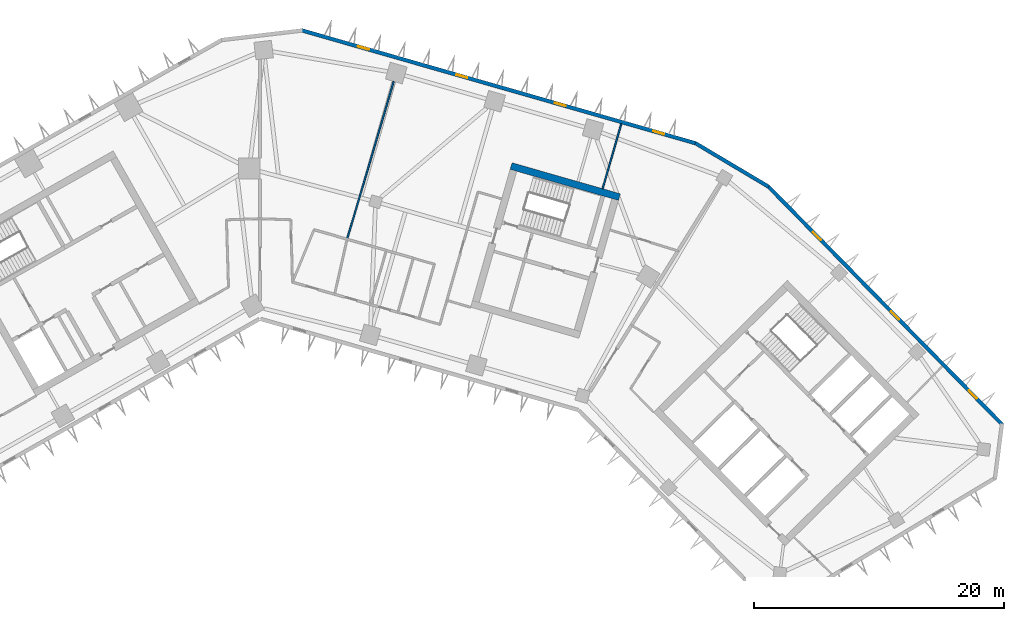
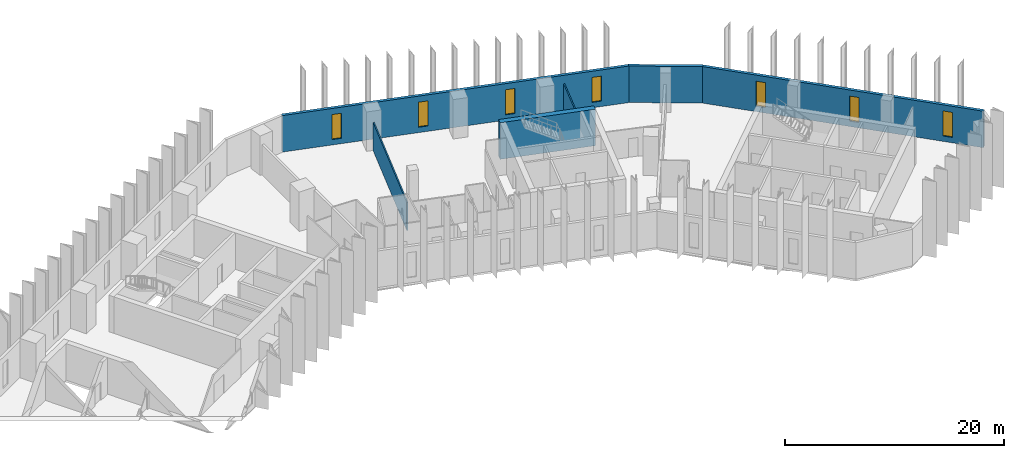
# One storey, part 7 of 11: 7 windows, 6 walls, 7 openings.
"""IFC4 building model written with IfcOpenShell, lengths in metres."""

from ifc_helpers import new_model, si_unit, direction, frame, frame_2d, origin, place, context, subcontext, project, spatial, rectangle, extrude, material, layer, layer_set, type_object, element, fill, save


model = new_model("IFC4")

# Units and contexts
model_context = context("Model", 3, precision=1e-05, world=origin(), true_north=direction((0.0, 1.0)))
body_context = subcontext(model_context, "Body", "Model", "MODEL_VIEW")
ifc_project = project(units=[si_unit("LENGTHUNIT", "METRE"), si_unit("AREAUNIT", "SQUARE_METRE"), si_unit("VOLUMEUNIT", "CUBIC_METRE"), si_unit("PLANEANGLEUNIT", "RADIAN"), si_unit("MASSUNIT", "GRAM", prefix="KILO")], contexts=[model_context])

# Site, building, storey
site_placement = place(None, origin())
site = spatial("IfcSite", under=ifc_project, at=site_placement, CompositionType="ELEMENT")
building_placement = place(site_placement, origin())
building = spatial("IfcBuilding", under=site, at=building_placement, Name="Binnacle Exchange Tower", CompositionType="ELEMENT")
storey_placement = place(building_placement, frame((0.0, 0.0, 114.699951171875)))
storey = spatial("IfcBuildingStorey", under=building, at=storey_placement, Name="L23", CompositionType="ELEMENT", Elevation=114.699951171875)

# Walls
ifc_material_1 = material(Name="Concrete C70/85", Category="concrete")
ifc_layer_1 = layer(ifc_material_1, 0.550048828125)
ifc_layer_set_1 = layer_set([ifc_layer_1], Name="Core wall - outer 550")
wall_type_1 = type_object("IfcWallType", Name="Core wall - outer 550", PredefinedType="SOLIDWALL", material=ifc_layer_set_1)
wall_1_placement = place(storey_placement, frame((20.059814453125, 60.20361328125, 0.0), z_axis=(0.0, 0.0, 1.0), x_axis=(0.96126248289, -0.275634611374, 0.0)))
element("IfcWall", 1, at=wall_1_placement, inside=storey, type_object=wall_type_1, Name="Core wall CRWD6", PredefinedType="SOLIDWALL", context=body_context, shape_type="SweptSolid", body=[
    extrude(rectangle(XDim=9.0, YDim=0.550048828125, at=frame_2d((4.5, 0.0))), origin(), (0.0, 0.0, 1.0), 4.080078125),
])
ifc_material_2 = material(Name="Bronze aluminium cladding", Category="aluminium")
ifc_layer_2 = layer(ifc_material_2, 0.300048828125)
ifc_layer_set_2 = layer_set([ifc_layer_2], Name="External wall - spandrel 300")
wall_type_2 = type_object("IfcWallType", Name="External wall - spandrel 300", PredefinedType="STANDARD", material=ifc_layer_set_2)
wall_2_placement = place(storey_placement, frame((34.773193359375, 62.0341796875, 0.0), z_axis=(0.0, 0.0, 1.0), x_axis=(0.859401317772, -0.511301647769, 0.0)))
element("IfcWall", 2, at=wall_2_placement, inside=storey, type_object=wall_type_2, Name="External wall EW-F00 L23", PredefinedType="STANDARD", context=body_context, shape_type="SweptSolid", body=[
    extrude(rectangle(XDim=6.80810546875, YDim=0.300048828125, at=frame_2d((3.404052734375, 0.0))), origin(), (0.0, 0.0, 1.0), 4.080078125),
])

# Wall, openings, windows
wall_3_placement = place(storey_placement, frame((3.33544921875, 71.043701171875, 0.0), z_axis=(0.0, 0.0, 1.0), x_axis=(0.961260130989, -0.275642813387, 0.0)))
wall_3 = element("IfcWall", 3, at=wall_3_placement, inside=storey, type_object=wall_type_2, Name="External wall EW-F01 L23", PredefinedType="STANDARD", context=body_context, shape_type="SweptSolid", body=[
    extrude(rectangle(XDim=32.7412109375, YDim=0.300048828125, at=frame_2d((16.37060546875, 0.0))), origin(), (0.0, 0.0, 1.0), 4.080078125),
])
opening_1_placement = place(wall_3_placement, frame((29.20703125, 0.0, 0.60009765625)))
opening_1 = element("IfcOpeningElement", 4, at=opening_1_placement, cuts=wall_3, Name="Opening WS2", PredefinedType="OPENING", context=body_context, shape_type="SweptSolid", body=[
    extrude(rectangle(XDim=0.89990234375, YDim=2.800048828125, at=frame_2d((0.449951171875, 1.39990234375))), frame((0.0, 0.159912109375, 0.0), z_axis=(0.0, -1.0, 0.0), x_axis=(1.0, 0.0, 0.0)), (0.0, 0.0, 1.0), 0.320068359375),
])
opening_2_placement = place(wall_3_placement, frame((21.0341796875, 0.0, 0.60009765625)))
opening_2 = element("IfcOpeningElement", 5, at=opening_2_placement, cuts=wall_3, Name="Opening WS2", PredefinedType="OPENING", context=body_context, shape_type="SweptSolid", body=[
    extrude(rectangle(XDim=0.89990234375, YDim=2.800048828125, at=frame_2d((0.449951171875, 1.39990234375))), frame((0.0, 0.159912109375, 0.0), z_axis=(0.0, -1.0, 0.0), x_axis=(1.0, 0.0, 0.0)), (0.0, 0.0, 1.0), 0.320068359375),
])
opening_3_placement = place(wall_3_placement, frame((12.861083984375, 0.0, 0.60009765625)))
opening_3 = element("IfcOpeningElement", 6, at=opening_3_placement, cuts=wall_3, Name="Opening WS2", PredefinedType="OPENING", context=body_context, shape_type="SweptSolid", body=[
    extrude(rectangle(XDim=0.89990234375, YDim=2.800048828125, at=frame_2d((0.449951171875, 1.39990234375))), frame((0.0, 0.159912109375, 0.0), z_axis=(0.0, -1.0, 0.0), x_axis=(1.0, 0.0, 0.0)), (0.0, 0.0, 1.0), 0.320068359375),
])
opening_4_placement = place(wall_3_placement, frame((4.688232421875, 0.0, 0.60009765625)))
opening_4 = element("IfcOpeningElement", 7, at=opening_4_placement, cuts=wall_3, Name="Opening WS2", PredefinedType="OPENING", context=body_context, shape_type="SweptSolid", body=[
    extrude(rectangle(XDim=0.89990234375, YDim=2.800048828125, at=frame_2d((0.449951171875, 1.39990234375))), frame((0.0, 0.159912109375, 0.0), z_axis=(0.0, -1.0, 0.0), x_axis=(1.0, 0.0, 0.0)), (0.0, 0.0, 1.0), 0.320068359375),
])
ifc_material_3 = material(Name="Bronze anodised aluminium frame", Category="aluminium")
window_type = type_object("IfcWindowType", Name="WS2 WINDOW 900x2800", PartitioningType="SINGLE_PANEL", PredefinedType="WINDOW", material=ifc_material_3)
window_1_placement = place(opening_1_placement, origin())
window_1 = element("IfcWindow", 8, at=window_1_placement, inside=storey, type_object=window_type, Name="Window WS2 L23", OverallHeight=2.800048828125, OverallWidth=0.89990234375, PartitioningType="SINGLE_PANEL", PredefinedType="WINDOW", context=body_context, shape_type="SweptSolid", body=[
    extrude(rectangle(XDim=0.89990234375, YDim=2.800048828125, at=frame_2d((0.449951171875, 1.39990234375))), frame((0.0, 0.030029296875, 0.0), z_axis=(0.0, -1.0, 0.0), x_axis=(1.0, 0.0, 0.0)), (0.0, 0.0, 1.0), 0.06005859375),
])
fill(opening_1, window_1)
window_2_placement = place(opening_2_placement, origin())
window_2 = element("IfcWindow", 9, at=window_2_placement, inside=storey, type_object=window_type, Name="Window WS2 L23", OverallHeight=2.800048828125, OverallWidth=0.89990234375, PartitioningType="SINGLE_PANEL", PredefinedType="WINDOW", context=body_context, shape_type="SweptSolid", body=[
    extrude(rectangle(XDim=0.89990234375, YDim=2.800048828125, at=frame_2d((0.449951171875, 1.39990234375))), frame((0.0, 0.030029296875, 0.0), z_axis=(0.0, -1.0, 0.0), x_axis=(1.0, 0.0, 0.0)), (0.0, 0.0, 1.0), 0.06005859375),
])
fill(opening_2, window_2)
window_3_placement = place(opening_3_placement, origin())
window_3 = element("IfcWindow", 10, at=window_3_placement, inside=storey, type_object=window_type, Name="Window WS2 L23", OverallHeight=2.800048828125, OverallWidth=0.89990234375, PartitioningType="SINGLE_PANEL", PredefinedType="WINDOW", context=body_context, shape_type="SweptSolid", body=[
    extrude(rectangle(XDim=0.89990234375, YDim=2.800048828125, at=frame_2d((0.449951171875, 1.39990234375))), frame((0.0, 0.030029296875, 0.0), z_axis=(0.0, -1.0, 0.0), x_axis=(1.0, 0.0, 0.0)), (0.0, 0.0, 1.0), 0.06005859375),
])
fill(opening_3, window_3)
window_4_placement = place(opening_4_placement, origin())
window_4 = element("IfcWindow", 11, at=window_4_placement, inside=storey, type_object=window_type, Name="Window WS2 L23", OverallHeight=2.800048828125, OverallWidth=0.89990234375, PartitioningType="SINGLE_PANEL", PredefinedType="WINDOW", context=body_context, shape_type="SweptSolid", body=[
    extrude(rectangle(XDim=0.89990234375, YDim=2.800048828125, at=frame_2d((0.449951171875, 1.39990234375))), frame((0.0, 0.030029296875, 0.0), z_axis=(0.0, -1.0, 0.0), x_axis=(1.0, 0.0, 0.0)), (0.0, 0.0, 1.0), 0.06005859375),
])
fill(opening_4, window_4)

wall_4_placement = place(storey_placement, frame((40.59375, 58.576904296875, 0.0), z_axis=(0.0, 0.0, 1.0), x_axis=(0.700909719808, -0.713250001528, 0.0)))
wall_4 = element("IfcWall", 12, at=wall_4_placement, inside=storey, type_object=wall_type_2, Name="External wall EW-F13 L23", PredefinedType="STANDARD", context=body_context, shape_type="SweptSolid", body=[
    extrude(rectangle(XDim=26.70849609375, YDim=0.300048828125, at=frame_2d((13.354248046875, 0.0))), origin(), (0.0, 0.0, 1.0), 4.080078125),
])
opening_5_placement = place(wall_4_placement, frame((22.8583984375, 0.0, 0.60009765625)))
opening_5 = element("IfcOpeningElement", 13, at=opening_5_placement, cuts=wall_4, Name="Opening WS2", PredefinedType="OPENING", context=body_context, shape_type="SweptSolid", body=[
    extrude(rectangle(XDim=0.89990234375, YDim=2.800048828125, at=frame_2d((0.449951171875, 1.39990234375))), frame((0.0, 0.159912109375, 0.0), z_axis=(0.0, -1.0, 0.0), x_axis=(1.0, 0.0, 0.0)), (0.0, 0.0, 1.0), 0.320068359375),
])
opening_6_placement = place(wall_4_placement, frame((13.986572265625, 0.0, 0.60009765625)))
opening_6 = element("IfcOpeningElement", 14, at=opening_6_placement, cuts=wall_4, Name="Opening WS2", PredefinedType="OPENING", context=body_context, shape_type="SweptSolid", body=[
    extrude(rectangle(XDim=0.89990234375, YDim=2.800048828125, at=frame_2d((0.449951171875, 1.39990234375))), frame((0.0, 0.159912109375, 0.0), z_axis=(0.0, -1.0, 0.0), x_axis=(1.0, 0.0, 0.0)), (0.0, 0.0, 1.0), 0.320068359375),
])
opening_7_placement = place(wall_4_placement, frame((5.114501953125, 0.0, 0.60009765625)))
opening_7 = element("IfcOpeningElement", 15, at=opening_7_placement, cuts=wall_4, Name="Opening WS2", PredefinedType="OPENING", context=body_context, shape_type="SweptSolid", body=[
    extrude(rectangle(XDim=0.89990234375, YDim=2.800048828125, at=frame_2d((0.449951171875, 1.39990234375))), frame((0.0, 0.159912109375, 0.0), z_axis=(0.0, -1.0, 0.0), x_axis=(1.0, 0.0, 0.0)), (0.0, 0.0, 1.0), 0.320068359375),
])
window_5_placement = place(opening_5_placement, origin())
window_5 = element("IfcWindow", 16, at=window_5_placement, inside=storey, type_object=window_type, Name="Window WS2 L23", OverallHeight=2.800048828125, OverallWidth=0.89990234375, PartitioningType="SINGLE_PANEL", PredefinedType="WINDOW", context=body_context, shape_type="SweptSolid", body=[
    extrude(rectangle(XDim=0.89990234375, YDim=2.800048828125, at=frame_2d((0.449951171875, 1.39990234375))), frame((0.0, 0.030029296875, 0.0), z_axis=(0.0, -1.0, 0.0), x_axis=(1.0, 0.0, 0.0)), (0.0, 0.0, 1.0), 0.06005859375),
])
fill(opening_5, window_5)
window_6_placement = place(opening_6_placement, origin())
window_6 = element("IfcWindow", 17, at=window_6_placement, inside=storey, type_object=window_type, Name="Window WS2 L23", OverallHeight=2.800048828125, OverallWidth=0.89990234375, PartitioningType="SINGLE_PANEL", PredefinedType="WINDOW", context=body_context, shape_type="SweptSolid", body=[
    extrude(rectangle(XDim=0.89990234375, YDim=2.800048828125, at=frame_2d((0.449951171875, 1.39990234375))), frame((0.0, 0.030029296875, 0.0), z_axis=(0.0, -1.0, 0.0), x_axis=(1.0, 0.0, 0.0)), (0.0, 0.0, 1.0), 0.06005859375),
])
fill(opening_6, window_6)
window_7_placement = place(opening_7_placement, origin())
window_7 = element("IfcWindow", 18, at=window_7_placement, inside=storey, type_object=window_type, Name="Window WS2 L23", OverallHeight=2.800048828125, OverallWidth=0.89990234375, PartitioningType="SINGLE_PANEL", PredefinedType="WINDOW", context=body_context, shape_type="SweptSolid", body=[
    extrude(rectangle(XDim=0.89990234375, YDim=2.800048828125, at=frame_2d((0.449951171875, 1.39990234375))), frame((0.0, 0.030029296875, 0.0), z_axis=(0.0, -1.0, 0.0), x_axis=(1.0, 0.0, 0.0)), (0.0, 0.0, 1.0), 0.06005859375),
])
fill(opening_7, window_7)

# Walls
ifc_material_4 = material(Name="Gypsum partition")
ifc_layer_3 = layer(ifc_material_4, 0.125)
ifc_layer_set_3 = layer_set([ifc_layer_3], Name="Partition 125")
wall_type_3 = type_object("IfcWallType", Name="Partition 125", PredefinedType="PARTITIONING", material=ifc_layer_set_3)
wall_5_placement = place(storey_placement, frame((6.966064453125, 54.362060546875, 0.0), z_axis=(0.0, 0.0, 1.0), x_axis=(0.283059793108, 0.959102264373, 0.0)))
element("IfcWall", 19, at=wall_5_placement, inside=storey, type_object=wall_type_3, Name="Partition W19", PredefinedType="PARTITIONING", context=body_context, shape_type="SweptSolid", body=[
    extrude(rectangle(XDim=13.135009765625, YDim=0.125, at=frame_2d((6.5673828125, 0.0))), origin(), (0.0, 0.0, 1.0), 3.14208984375),
])
wall_6_placement = place(storey_placement, frame((27.367919921875, 58.39404296875, 0.0), z_axis=(0.0, 0.0, 1.0), x_axis=(0.276295387056, 0.961072764722, 0.0)))
element("IfcWall", 20, at=wall_6_placement, inside=storey, type_object=wall_type_3, Name="Partition W33", PredefinedType="PARTITIONING", context=body_context, shape_type="SweptSolid", body=[
    extrude(rectangle(XDim=5.3857421875, YDim=0.125, at=frame_2d((2.69287109375, 0.0))), origin(), (0.0, 0.0, 1.0), 3.14208984375),
])

save(model, "model.ifc")
